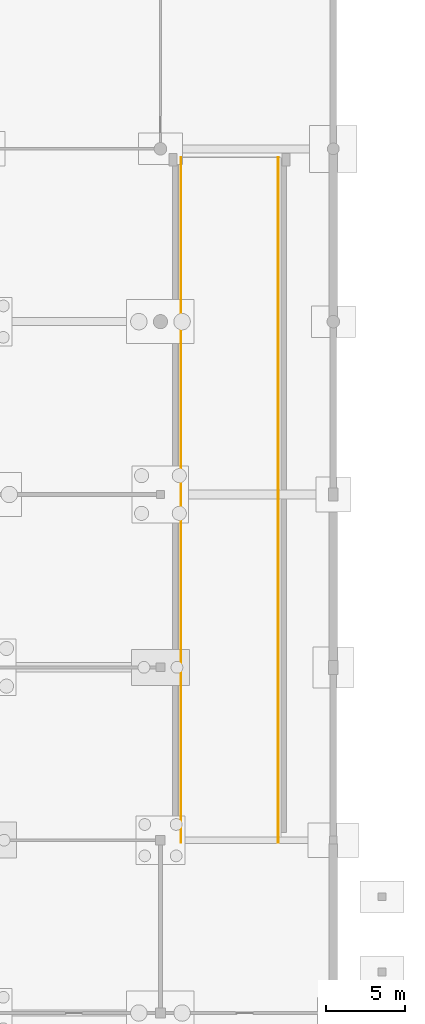
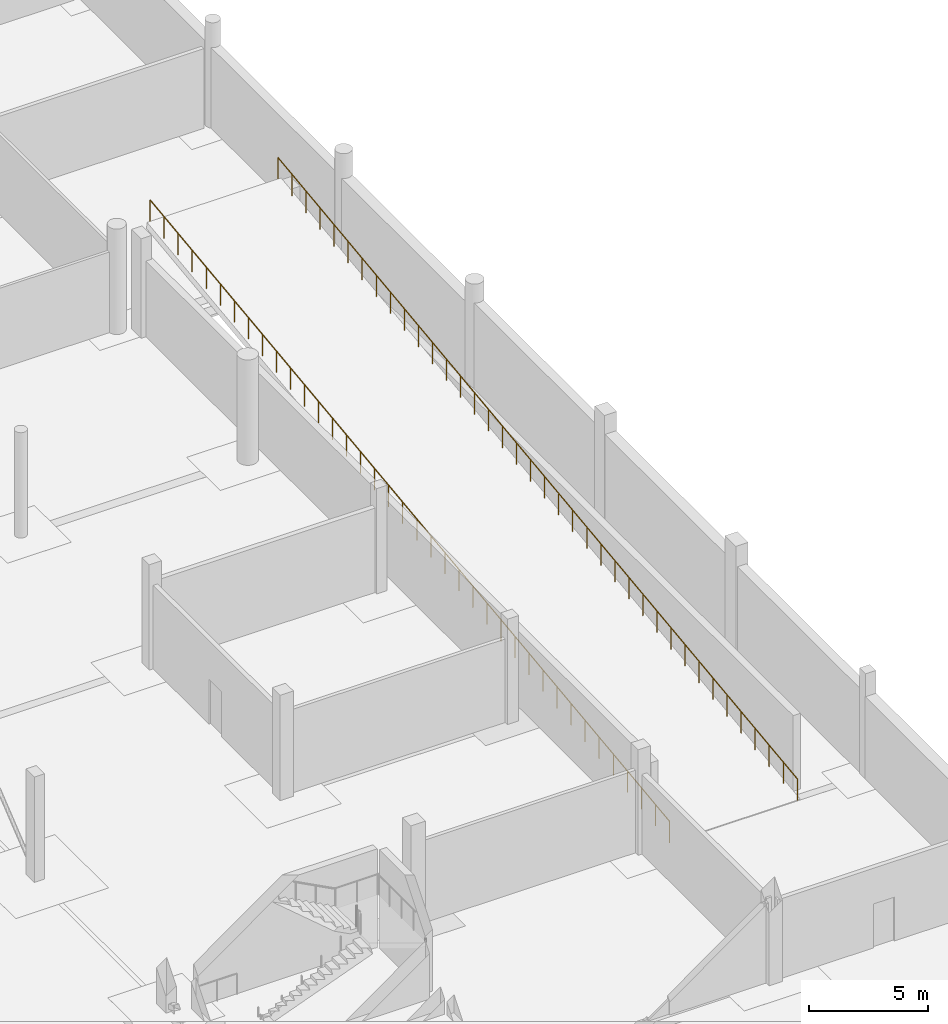
# One storey, part 59 of 60: 2 railings.
"""IFC4 building model written with IfcOpenShell, lengths in metres."""

from ifc_helpers import new_model, si_unit, direction, frame, origin, origin_2d, place, context, subcontext, project, spatial, circle, extrude, material, type_object, element, save


model = new_model("IFC4")

# Units and contexts
model_context = context("Model", 3, precision=1e-05, world=origin(), true_north=direction((0.0, 1.0)))
body_context = subcontext(model_context, "Body", "Model", "MODEL_VIEW")
ifc_project = project(units=[si_unit("LENGTHUNIT", "METRE"), si_unit("AREAUNIT", "SQUARE_METRE"), si_unit("VOLUMEUNIT", "CUBIC_METRE"), si_unit("PLANEANGLEUNIT", "RADIAN"), si_unit("MASSUNIT", "GRAM", prefix="KILO")], contexts=[model_context])

# Site, building, storey
site_placement = place(None, origin())
site = spatial("IfcSite", under=ifc_project, at=site_placement, CompositionType="ELEMENT")
building_placement = place(site_placement, origin())
building = spatial("IfcBuilding", under=site, at=building_placement, Name="Luwafu Chhajja Arena", CompositionType="ELEMENT")
storey_placement = place(building_placement, frame((0.0, 0.0, -5.39990234375)))
storey = spatial("IfcBuildingStorey", under=building, at=storey_placement, Name="B1", CompositionType="ELEMENT", Elevation=-5.39990234375)

# Railings
ifc_material = material(Name="Stainless steel balustrade", Category="steel")
railing_type = type_object("IfcRailingType", Name="Stair and Terrace Guard Balustrade 1100", PredefinedType="BALUSTRADE", material=ifc_material)
railing_1_placement = place(storey_placement, frame((188.300048828125, 65.85009765625, 0.0)))
element("IfcRailing", 1, at=railing_1_placement, inside=storey, type_object=railing_type, Name="Vehicle Ramp R1 Guard W", PredefinedType="BALUSTRADE", context=body_context, shape_type="SweptSolid", body=[
    extrude(circle(Radius=0.02392578125, at=origin_2d()), frame((0.0, 0.0, 1.09619140625), z_axis=(0.0, 0.992417537761, 0.122912288827), x_axis=(-1.0, 0.0, 0.0)), (0.0, 0.0, 1.0), 43.932861328125),
    extrude(circle(Radius=0.02099609375, at=origin_2d()), origin(), (0.0, 0.0, 1.0), 1.072021484375),
    extrude(circle(Radius=0.02099609375, at=origin_2d()), frame((0.0, 1.178466796875, 0.14599609375)), (0.0, 0.0, 1.0), 1.072021484375),
    extrude(circle(Radius=0.02099609375, at=origin_2d()), frame((0.0, 2.356689453125, 0.2919921875)), (0.0, 0.0, 1.0), 1.072021484375),
    extrude(circle(Radius=0.02099609375, at=origin_2d()), frame((0.0, 3.53515625, 0.437744140625)), (0.0, 0.0, 1.0), 1.072021484375),
    extrude(circle(Radius=0.02099609375, at=origin_2d()), frame((0.0, 4.71337890625, 0.583740234375)), (0.0, 0.0, 1.0), 1.072021484375),
    extrude(circle(Radius=0.02099609375, at=origin_2d()), frame((0.0, 5.891845703125, 0.729736328125)), (0.0, 0.0, 1.0), 1.072021484375),
    extrude(circle(Radius=0.02099609375, at=origin_2d()), frame((0.0, 7.0703125, 0.875732421875)), (0.0, 0.0, 1.0), 1.072021484375),
    extrude(circle(Radius=0.02099609375, at=origin_2d()), frame((0.0, 8.24853515625, 1.021484375)), (0.0, 0.0, 1.0), 1.072021484375),
    extrude(circle(Radius=0.02099609375, at=origin_2d()), frame((0.0, 9.427001953125, 1.16748046875)), (0.0, 0.0, 1.0), 1.072021484375),
    extrude(circle(Radius=0.02099609375, at=origin_2d()), frame((0.0, 10.60546875, 1.3134765625)), (0.0, 0.0, 1.0), 1.072021484375),
    extrude(circle(Radius=0.02099609375, at=origin_2d()), frame((0.0, 11.78369140625, 1.45947265625)), (0.0, 0.0, 1.0), 1.072021484375),
    extrude(circle(Radius=0.02099609375, at=origin_2d()), frame((0.0, 12.962158203125, 1.60546875)), (0.0, 0.0, 1.0), 1.072021484375),
    extrude(circle(Radius=0.02099609375, at=origin_2d()), frame((0.0, 14.140380859375, 1.751220703125)), (0.0, 0.0, 1.0), 1.072021484375),
    extrude(circle(Radius=0.02099609375, at=origin_2d()), frame((0.0, 15.31884765625, 1.897216796875)), (0.0, 0.0, 1.0), 1.072021484375),
    extrude(circle(Radius=0.02099609375, at=origin_2d()), frame((0.0, 16.497314453125, 2.043212890625)), (0.0, 0.0, 1.0), 1.072021484375),
    extrude(circle(Radius=0.02099609375, at=origin_2d()), frame((0.0, 17.675537109375, 2.189208984375)), (0.0, 0.0, 1.0), 1.072021484375),
    extrude(circle(Radius=0.02099609375, at=origin_2d()), frame((0.0, 18.85400390625, 2.335205078125)), (0.0, 0.0, 1.0), 1.072021484375),
    extrude(circle(Radius=0.02099609375, at=origin_2d()), frame((0.0, 20.032470703125, 2.48095703125)), (0.0, 0.0, 1.0), 1.072021484375),
    extrude(circle(Radius=0.02099609375, at=origin_2d()), frame((0.0, 21.210693359375, 2.626953125)), (0.0, 0.0, 1.0), 1.072021484375),
    extrude(circle(Radius=0.02099609375, at=origin_2d()), frame((0.0, 22.38916015625, 2.77294921875)), (0.0, 0.0, 1.0), 1.072021484375),
    extrude(circle(Radius=0.02099609375, at=origin_2d()), frame((0.0, 23.5673828125, 2.9189453125)), (0.0, 0.0, 1.0), 1.072021484375),
    extrude(circle(Radius=0.02099609375, at=origin_2d()), frame((0.0, 24.745849609375, 3.064697265625)), (0.0, 0.0, 1.0), 1.072021484375),
    extrude(circle(Radius=0.02099609375, at=origin_2d()), frame((0.0, 25.92431640625, 3.210693359375)), (0.0, 0.0, 1.0), 1.072021484375),
    extrude(circle(Radius=0.02099609375, at=origin_2d()), frame((0.0, 27.1025390625, 3.356689453125)), (0.0, 0.0, 1.0), 1.072021484375),
    extrude(circle(Radius=0.02099609375, at=origin_2d()), frame((0.0, 28.281005859375, 3.502685546875)), (0.0, 0.0, 1.0), 1.072021484375),
    extrude(circle(Radius=0.02099609375, at=origin_2d()), frame((0.0, 29.45947265625, 3.648681640625)), (0.0, 0.0, 1.0), 1.072021484375),
    extrude(circle(Radius=0.02099609375, at=origin_2d()), frame((0.0, 30.6376953125, 3.79443359375)), (0.0, 0.0, 1.0), 1.072021484375),
    extrude(circle(Radius=0.02099609375, at=origin_2d()), frame((0.0, 31.816162109375, 3.9404296875)), (0.0, 0.0, 1.0), 1.072021484375),
    extrude(circle(Radius=0.02099609375, at=origin_2d()), frame((0.0, 32.994384765625, 4.08642578125)), (0.0, 0.0, 1.0), 1.072021484375),
    extrude(circle(Radius=0.02099609375, at=origin_2d()), frame((0.0, 34.1728515625, 4.232421875)), (0.0, 0.0, 1.0), 1.072021484375),
    extrude(circle(Radius=0.02099609375, at=origin_2d()), frame((0.0, 35.351318359375, 4.37841796875)), (0.0, 0.0, 1.0), 1.072021484375),
    extrude(circle(Radius=0.02099609375, at=origin_2d()), frame((0.0, 36.529541015625, 4.524169921875)), (0.0, 0.0, 1.0), 1.072021484375),
    extrude(circle(Radius=0.02099609375, at=origin_2d()), frame((0.0, 37.7080078125, 4.670166015625)), (0.0, 0.0, 1.0), 1.072021484375),
    extrude(circle(Radius=0.02099609375, at=origin_2d()), frame((0.0, 38.886474609375, 4.816162109375)), (0.0, 0.0, 1.0), 1.072021484375),
    extrude(circle(Radius=0.02099609375, at=origin_2d()), frame((0.0, 40.064697265625, 4.962158203125)), (0.0, 0.0, 1.0), 1.072021484375),
    extrude(circle(Radius=0.02099609375, at=origin_2d()), frame((0.0, 41.2431640625, 5.10791015625)), (0.0, 0.0, 1.0), 1.072021484375),
    extrude(circle(Radius=0.02099609375, at=origin_2d()), frame((0.0, 42.42138671875, 5.25390625)), (0.0, 0.0, 1.0), 1.072021484375),
    extrude(circle(Radius=0.02099609375, at=origin_2d()), frame((0.0, 43.599853515625, 5.39990234375)), (0.0, 0.0, 1.0), 1.072021484375),
])
railing_2_placement = place(storey_placement, frame((194.5, 65.85009765625, 0.0)))
element("IfcRailing", 2, at=railing_2_placement, inside=storey, type_object=railing_type, Name="Vehicle Ramp R1 Guard E", PredefinedType="BALUSTRADE", context=body_context, shape_type="SweptSolid", body=[
    extrude(circle(Radius=0.02392578125, at=origin_2d()), frame((0.0, 0.0, 1.09619140625), z_axis=(0.0, 0.992417537761, 0.122912288827), x_axis=(-1.0, 0.0, 0.0)), (0.0, 0.0, 1.0), 43.932861328125),
    extrude(circle(Radius=0.02099609375, at=origin_2d()), origin(), (0.0, 0.0, 1.0), 1.072021484375),
    extrude(circle(Radius=0.02099609375, at=origin_2d()), frame((0.0, 1.178466796875, 0.14599609375)), (0.0, 0.0, 1.0), 1.072021484375),
    extrude(circle(Radius=0.02099609375, at=origin_2d()), frame((0.0, 2.356689453125, 0.2919921875)), (0.0, 0.0, 1.0), 1.072021484375),
    extrude(circle(Radius=0.02099609375, at=origin_2d()), frame((0.0, 3.53515625, 0.437744140625)), (0.0, 0.0, 1.0), 1.072021484375),
    extrude(circle(Radius=0.02099609375, at=origin_2d()), frame((0.0, 4.71337890625, 0.583740234375)), (0.0, 0.0, 1.0), 1.072021484375),
    extrude(circle(Radius=0.02099609375, at=origin_2d()), frame((0.0, 5.891845703125, 0.729736328125)), (0.0, 0.0, 1.0), 1.072021484375),
    extrude(circle(Radius=0.02099609375, at=origin_2d()), frame((0.0, 7.0703125, 0.875732421875)), (0.0, 0.0, 1.0), 1.072021484375),
    extrude(circle(Radius=0.02099609375, at=origin_2d()), frame((0.0, 8.24853515625, 1.021484375)), (0.0, 0.0, 1.0), 1.072021484375),
    extrude(circle(Radius=0.02099609375, at=origin_2d()), frame((0.0, 9.427001953125, 1.16748046875)), (0.0, 0.0, 1.0), 1.072021484375),
    extrude(circle(Radius=0.02099609375, at=origin_2d()), frame((0.0, 10.60546875, 1.3134765625)), (0.0, 0.0, 1.0), 1.072021484375),
    extrude(circle(Radius=0.02099609375, at=origin_2d()), frame((0.0, 11.78369140625, 1.45947265625)), (0.0, 0.0, 1.0), 1.072021484375),
    extrude(circle(Radius=0.02099609375, at=origin_2d()), frame((0.0, 12.962158203125, 1.60546875)), (0.0, 0.0, 1.0), 1.072021484375),
    extrude(circle(Radius=0.02099609375, at=origin_2d()), frame((0.0, 14.140380859375, 1.751220703125)), (0.0, 0.0, 1.0), 1.072021484375),
    extrude(circle(Radius=0.02099609375, at=origin_2d()), frame((0.0, 15.31884765625, 1.897216796875)), (0.0, 0.0, 1.0), 1.072021484375),
    extrude(circle(Radius=0.02099609375, at=origin_2d()), frame((0.0, 16.497314453125, 2.043212890625)), (0.0, 0.0, 1.0), 1.072021484375),
    extrude(circle(Radius=0.02099609375, at=origin_2d()), frame((0.0, 17.675537109375, 2.189208984375)), (0.0, 0.0, 1.0), 1.072021484375),
    extrude(circle(Radius=0.02099609375, at=origin_2d()), frame((0.0, 18.85400390625, 2.335205078125)), (0.0, 0.0, 1.0), 1.072021484375),
    extrude(circle(Radius=0.02099609375, at=origin_2d()), frame((0.0, 20.032470703125, 2.48095703125)), (0.0, 0.0, 1.0), 1.072021484375),
    extrude(circle(Radius=0.02099609375, at=origin_2d()), frame((0.0, 21.210693359375, 2.626953125)), (0.0, 0.0, 1.0), 1.072021484375),
    extrude(circle(Radius=0.02099609375, at=origin_2d()), frame((0.0, 22.38916015625, 2.77294921875)), (0.0, 0.0, 1.0), 1.072021484375),
    extrude(circle(Radius=0.02099609375, at=origin_2d()), frame((0.0, 23.5673828125, 2.9189453125)), (0.0, 0.0, 1.0), 1.072021484375),
    extrude(circle(Radius=0.02099609375, at=origin_2d()), frame((0.0, 24.745849609375, 3.064697265625)), (0.0, 0.0, 1.0), 1.072021484375),
    extrude(circle(Radius=0.02099609375, at=origin_2d()), frame((0.0, 25.92431640625, 3.210693359375)), (0.0, 0.0, 1.0), 1.072021484375),
    extrude(circle(Radius=0.02099609375, at=origin_2d()), frame((0.0, 27.1025390625, 3.356689453125)), (0.0, 0.0, 1.0), 1.072021484375),
    extrude(circle(Radius=0.02099609375, at=origin_2d()), frame((0.0, 28.281005859375, 3.502685546875)), (0.0, 0.0, 1.0), 1.072021484375),
    extrude(circle(Radius=0.02099609375, at=origin_2d()), frame((0.0, 29.45947265625, 3.648681640625)), (0.0, 0.0, 1.0), 1.072021484375),
    extrude(circle(Radius=0.02099609375, at=origin_2d()), frame((0.0, 30.6376953125, 3.79443359375)), (0.0, 0.0, 1.0), 1.072021484375),
    extrude(circle(Radius=0.02099609375, at=origin_2d()), frame((0.0, 31.816162109375, 3.9404296875)), (0.0, 0.0, 1.0), 1.072021484375),
    extrude(circle(Radius=0.02099609375, at=origin_2d()), frame((0.0, 32.994384765625, 4.08642578125)), (0.0, 0.0, 1.0), 1.072021484375),
    extrude(circle(Radius=0.02099609375, at=origin_2d()), frame((0.0, 34.1728515625, 4.232421875)), (0.0, 0.0, 1.0), 1.072021484375),
    extrude(circle(Radius=0.02099609375, at=origin_2d()), frame((0.0, 35.351318359375, 4.37841796875)), (0.0, 0.0, 1.0), 1.072021484375),
    extrude(circle(Radius=0.02099609375, at=origin_2d()), frame((0.0, 36.529541015625, 4.524169921875)), (0.0, 0.0, 1.0), 1.072021484375),
    extrude(circle(Radius=0.02099609375, at=origin_2d()), frame((0.0, 37.7080078125, 4.670166015625)), (0.0, 0.0, 1.0), 1.072021484375),
    extrude(circle(Radius=0.02099609375, at=origin_2d()), frame((0.0, 38.886474609375, 4.816162109375)), (0.0, 0.0, 1.0), 1.072021484375),
    extrude(circle(Radius=0.02099609375, at=origin_2d()), frame((0.0, 40.064697265625, 4.962158203125)), (0.0, 0.0, 1.0), 1.072021484375),
    extrude(circle(Radius=0.02099609375, at=origin_2d()), frame((0.0, 41.2431640625, 5.10791015625)), (0.0, 0.0, 1.0), 1.072021484375),
    extrude(circle(Radius=0.02099609375, at=origin_2d()), frame((0.0, 42.42138671875, 5.25390625)), (0.0, 0.0, 1.0), 1.072021484375),
    extrude(circle(Radius=0.02099609375, at=origin_2d()), frame((0.0, 43.599853515625, 5.39990234375)), (0.0, 0.0, 1.0), 1.072021484375),
])

save(model, "model.ifc")
